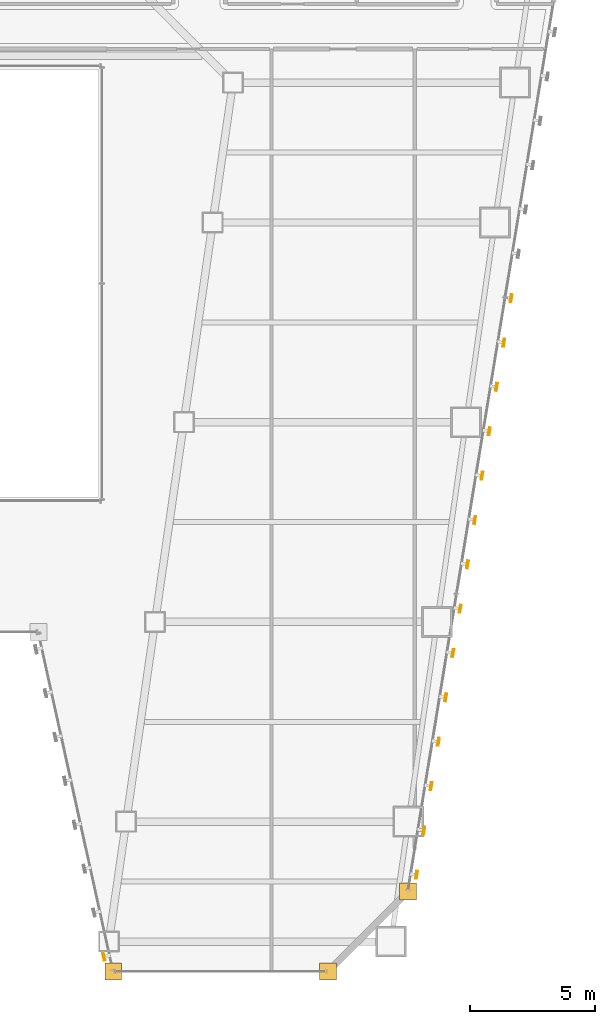
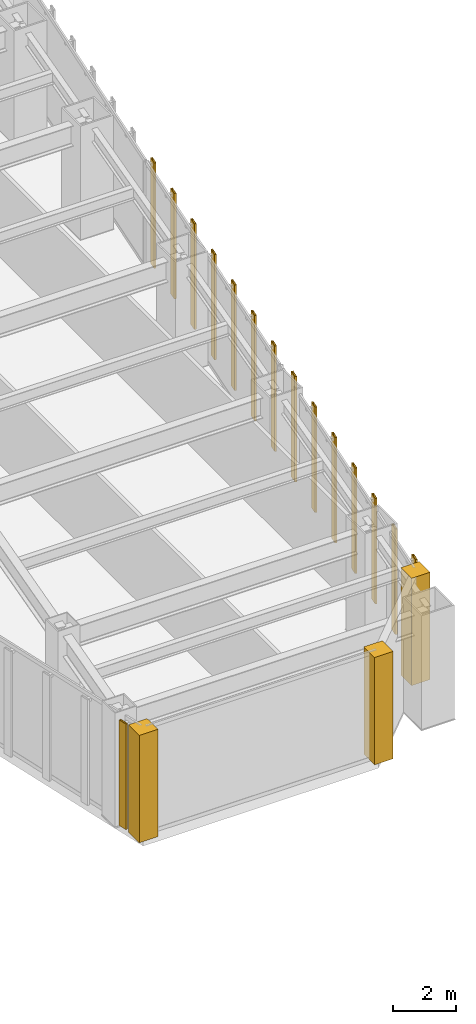
# One storey, part 44 of 49: 15 shading devices, 3 coverings.
"""IFC4 building model written with IfcOpenShell, lengths in metres."""

import ifcopenshell
import ifcopenshell.guid

model = None  # the IFC model being written
_history = None  # IfcOwnerHistory: only IFC2X3 demands one
_inside = {}  # id of a spatial element -> (the spatial element, [elements in it])
_under = {}  # id of a project, library or spatial element -> (it, [spatial elements below it])
_declared = {}  # id of a project -> (the project, [libraries it declares])
_typed = {}  # id of a type object -> (the type object, [elements of that type])
_made_of = {}  # id of a material, layer set ... -> (it, [elements and type objects made of it])


def new_model(schema):
    """Start an empty IFC model of exactly this schema.

    Asked for "IFC4X3", IfcOpenShell would pick the latest addendum, in which some entities
    have other attributes; the version numbers below select the first issue.
    IFC2X3 requires an IfcOwnerHistory on every rooted entity: one is made here for all.
    """
    global model, _history
    if schema == "IFC4X3":
        model = ifcopenshell.file(schema_version=(4, 3, 0, 0))
    else:
        model = ifcopenshell.file(schema=schema)
    _inside.clear()
    _under.clear()
    _declared.clear()
    _typed.clear()
    _made_of.clear()
    _history = None
    if model.schema == "IFC2X3":
        org = make("IfcOrganization", Name="unknown")
        user = make(
            "IfcPersonAndOrganization",
            ThePerson=make("IfcPerson", FamilyName="unknown"),
            TheOrganization=org,
        )
        app = make(
            "IfcApplication",
            ApplicationDeveloper=org,
            Version="unknown",
            ApplicationFullName="unknown",
            ApplicationIdentifier="unknown",
        )
        _history = make(
            "IfcOwnerHistory",
            OwningUser=user,
            OwningApplication=app,
            ChangeAction="ADDED",
            CreationDate=0,
        )
    return model


def make(cls, **values):
    """One entity of the class cls with the attributes given. An attribute that is None is left unset."""
    return model.create_entity(
        cls, **{name: value for name, value in values.items() if value is not None}
    )


def rooted(cls, **values):
    """An entity with a GlobalId (a new one), such as an element, a storey or a relation."""
    return make(cls, GlobalId=ifcopenshell.guid.new(), OwnerHistory=_history, **values)


def si_unit(unit_type, name, prefix=None):
    """IfcSIUnit, for example si_unit("LENGTHUNIT", "METRE", prefix="MILLI")."""
    return make("IfcSIUnit", UnitType=unit_type, Prefix=prefix, Name=name)


def assignment(units):
    """IfcUnitAssignment: the units of a project."""
    return None if units is None else make("IfcUnitAssignment", Units=units)


def point(xyz):
    """IfcCartesianPoint."""
    return None if xyz is None else make("IfcCartesianPoint", Coordinates=xyz)


def direction(xyz):
    """IfcDirection."""
    return None if xyz is None else make("IfcDirection", DirectionRatios=xyz)


def frame(location, z_axis=None, x_axis=None):
    """IfcAxis2Placement3D, a coordinate frame: its origin and axes. An axis left out is left unset."""
    return make(
        "IfcAxis2Placement3D",
        Location=point(location),
        Axis=direction(z_axis),
        RefDirection=direction(x_axis),
    )


def frame_2d(location, x_axis=None):
    """IfcAxis2Placement2D, a coordinate frame in the plane: its origin and x axis."""
    return make(
        "IfcAxis2Placement2D", Location=point(location), RefDirection=direction(x_axis)
    )


def origin():
    """The frame at (0, 0, 0) with its axes left unset."""
    return frame((0.0, 0.0, 0.0))


def origin_2d():
    """The frame at (0, 0) in the plane with its x axis left unset."""
    return frame_2d((0.0, 0.0))


def place(relative_to, where):
    """IfcLocalPlacement: puts the frame where relative to a parent placement (None: the world)."""
    return make(
        "IfcLocalPlacement", PlacementRelTo=relative_to, RelativePlacement=where
    )


def context(
    kind, dimensions, precision=None, world=None, true_north=None, identifier=None
):
    """IfcGeometricRepresentationContext, for example the 3D "Model" context."""
    return make(
        "IfcGeometricRepresentationContext",
        ContextIdentifier=identifier,
        ContextType=kind,
        CoordinateSpaceDimension=dimensions,
        Precision=precision,
        WorldCoordinateSystem=world,
        TrueNorth=true_north,
    )


def subcontext(parent, identifier, kind, view, scale=None):
    """IfcGeometricRepresentationSubContext, for example "Body" below "Model"."""
    return make(
        "IfcGeometricRepresentationSubContext",
        ContextIdentifier=identifier,
        ContextType=kind,
        ParentContext=parent,
        TargetScale=scale,
        TargetView=view,
    )


def project(units=None, contexts=None):
    """IfcProject with its units and contexts."""
    return rooted(
        "IfcProject",
        Name="project",
        RepresentationContexts=contexts,
        UnitsInContext=assignment(units),
    )


def spatial(cls, under=None, at=None, **own):
    """A site, building, storey or space (cls), placed at a placement, below another one or the project."""
    s = rooted(cls, ObjectPlacement=at, **own)
    if under is not None:
        _under.setdefault(under.id(), (under, []))[1].append(s)
    return s


def polyline(points):
    """IfcPolyline through the points."""
    return make("IfcPolyline", Points=[point(p) for p in points])


def profile(cls, at=None, kind="AREA", **sizes):
    """A parametric profile (cls). Its sizes go by their IFC names, for example OverallWidth=200.0."""
    return make(cls, ProfileType=kind, Position=at, **sizes)


def hollow_rectangle(**sizes):
    """IfcRectangleHollowProfileDef."""
    return profile("IfcRectangleHollowProfileDef", **sizes)


def outline(outer, holes=None, kind="AREA"):
    """IfcArbitraryClosedProfileDef: a profile drawn as a closed curve; with holes, ...WithVoids."""
    if holes is None:
        return make("IfcArbitraryClosedProfileDef", ProfileType=kind, OuterCurve=outer)
    return make(
        "IfcArbitraryProfileDefWithVoids",
        ProfileType=kind,
        OuterCurve=outer,
        InnerCurves=holes,
    )


def extrude(swept, where, along, depth):
    """IfcExtrudedAreaSolid: the profile swept, set in the frame where, extruded along a direction by depth."""
    return make(
        "IfcExtrudedAreaSolid",
        SweptArea=swept,
        Position=where,
        ExtrudedDirection=direction(along),
        Depth=depth,
    )


def shape(context_of_items, identifier, shape_type, items):
    """IfcShapeRepresentation: the items that make up one representation, for example the "Body"."""
    return make(
        "IfcShapeRepresentation",
        ContextOfItems=context_of_items,
        RepresentationIdentifier=identifier,
        RepresentationType=shape_type,
        Items=items,
    )


def material(Name=None, Category=None):
    """IfcMaterial."""
    return make("IfcMaterial", Name=Name, Category=Category)


def layer(
    of_material, thickness, ventilated=None, Name=None, Category=None, Priority=None
):
    """IfcMaterialLayer: one layer of a wall or slab, of a material (None: an air gap)."""
    return make(
        "IfcMaterialLayer",
        Material=of_material,
        LayerThickness=thickness,
        IsVentilated=ventilated,
        Name=Name,
        Category=Category,
        Priority=Priority,
    )


def layer_set(layers, Name=None):
    """IfcMaterialLayerSet."""
    return make("IfcMaterialLayerSet", MaterialLayers=layers, LayerSetName=Name)


def material_profile(
    of_material, cross_section, Name=None, Category=None, Priority=None
):
    """IfcMaterialProfile: a cross section and its material."""
    return make(
        "IfcMaterialProfile",
        Name=Name,
        Material=of_material,
        Profile=cross_section,
        Priority=Priority,
        Category=Category,
    )


def profile_set(profiles, Name=None, composite=None):
    """IfcMaterialProfileSet."""
    return make(
        "IfcMaterialProfileSet",
        Name=Name,
        MaterialProfiles=profiles,
        CompositeProfile=composite,
    )


def made_of(thing, what):
    """Note that an element or type object is made of a material, layer set ...; save() writes the relation."""
    if what is not None:
        _made_of.setdefault(what.id(), (what, []))[1].append(thing)
    return thing


def type_object(cls, material=None, **own):
    """A type object (cls), such as IfcWallType, which elements share."""
    return made_of(rooted(cls, **own), material)


def element(
    cls,
    number,
    at=None,
    inside=None,
    cuts=None,
    type_object=None,
    material=None,
    context=None,
    identifier="Body",
    shape_type=None,
    held_by="IfcProductDefinitionShape",
    body=None,
    shapes=None,
    **own,
):
    """One element of the class cls, such as IfcWall. Its Tag is "e" and its number.

    at: its placement. inside: the storey or other place that contains it. cuts: it is an
    opening in that element (IfcRelVoidsElement). A single representation is given by context,
    identifier, shape_type and body (its items); several are given by shapes. held_by: the class
    of the entity that holds the representations. save() writes the other relations.
    """
    e = rooted(cls, Tag="e%d" % number, ObjectPlacement=at, **own)
    if body is not None:
        shapes = [shape(context, identifier, shape_type, body)]
    if shapes is not None:
        e.Representation = make(held_by, Representations=shapes)
    if inside is not None:
        _inside.setdefault(inside.id(), (inside, []))[1].append(e)
    if cuts is not None:
        rooted(
            "IfcRelVoidsElement", RelatingBuildingElement=cuts, RelatedOpeningElement=e
        )
    if type_object is not None:
        _typed.setdefault(type_object.id(), (type_object, []))[1].append(e)
    return made_of(e, material)


def aggregate(whole, parts):
    """IfcRelAggregates: a whole, such as a stair, and the parts it consists of."""
    return rooted("IfcRelAggregates", RelatingObject=whole, RelatedObjects=parts)


def save(model, path):
    """Write the relations noted so far, then the file.

    IfcRelAggregates (storeys below a building ...), IfcRelContainedInSpatialStructure (elements
    in a storey), IfcRelDefinesByType, IfcRelAssociatesMaterial and IfcRelDeclares: one each for
    every whole, place, type object, material and project.
    """
    for whole, parts in _under.values():
        aggregate(whole, parts)
    for where, things in _inside.values():
        rooted(
            "IfcRelContainedInSpatialStructure",
            RelatedElements=things,
            RelatingStructure=where,
        )
    for kind, things in _typed.values():
        rooted("IfcRelDefinesByType", RelatedObjects=things, RelatingType=kind)
    for what, things in _made_of.values():
        rooted("IfcRelAssociatesMaterial", RelatedObjects=things, RelatingMaterial=what)
    for by, libraries in _declared.values():
        rooted("IfcRelDeclares", RelatingContext=by, RelatedDefinitions=libraries)
    model.write(path)


model = new_model("IFC4")

# Units and contexts
model_context = context("Model", 3, precision=1e-05, world=origin(), true_north=direction((0.0, 1.0)))
body_context = subcontext(model_context, "Body", "Model", "MODEL_VIEW")
ifc_project = project(units=[si_unit("LENGTHUNIT", "METRE"), si_unit("AREAUNIT", "SQUARE_METRE"), si_unit("VOLUMEUNIT", "CUBIC_METRE"), si_unit("PLANEANGLEUNIT", "RADIAN"), si_unit("MASSUNIT", "GRAM", prefix="KILO")], contexts=[model_context])

# Site, building, storey
site_placement = place(None, origin())
site = spatial("IfcSite", under=ifc_project, at=site_placement, CompositionType="ELEMENT")
building_placement = place(site_placement, origin())
building = spatial("IfcBuilding", under=site, at=building_placement, Name="Saevonmaru Cultural Tower", CompositionType="ELEMENT")
storey_placement = place(building_placement, frame((0.0, 0.0, 38.39990234375)))
storey = spatial("IfcBuildingStorey", under=building, at=storey_placement, Name="L07", CompositionType="ELEMENT", Elevation=38.39990234375)

# Coverings
ifc_material = material(Name="Satin Bronze Anodised Aluminium", Category="aluminium")
ifc_layer = layer(ifc_material, 0.679931640625, Name="Satin Bronze Anodised Aluminium")
ifc_layer_set = layer_set([ifc_layer], Name="Satin Bronze Anodised Aluminium")
covering_type = type_object("IfcCoveringType", Name="CV-CORNER-CLAD", PredefinedType="CLADDING", material=ifc_layer_set)
covering_1_placement = place(storey_placement, origin())
element("IfcCovering", 1, at=covering_1_placement, inside=storey, type_object=covering_type, Name="L07 Tower Bronze Corner Cladding Pier 6", PredefinedType="CLADDING", context=body_context, shape_type="SweptSolid", body=[
    extrude(outline(polyline([(36.06005859375, 1.659912109375), (36.739990234375, 1.659912109375), (36.739990234375, 2.340087890625), (36.06005859375, 2.340087890625), (36.06005859375, 1.659912109375)])), origin(), (0.0, 0.0, 1.0), 4.150146484375),
])
covering_2_placement = place(storey_placement, origin())
element("IfcCovering", 2, at=covering_2_placement, inside=storey, type_object=covering_type, Name="L07 Tower Bronze Corner Cladding Pier 7", PredefinedType="CLADDING", context=body_context, shape_type="SweptSolid", body=[
    extrude(outline(polyline([(44.659912109375, 1.659912109375), (45.340087890625, 1.659912109375), (45.340087890625, 2.340087890625), (44.659912109375, 2.340087890625), (44.659912109375, 1.659912109375)])), origin(), (0.0, 0.0, 1.0), 4.150146484375),
])
covering_3_placement = place(storey_placement, origin())
element("IfcCovering", 3, at=covering_3_placement, inside=storey, type_object=covering_type, Name="L07 Tower Bronze Corner Cladding Pier 8", PredefinedType="CLADDING", context=body_context, shape_type="SweptSolid", body=[
    extrude(outline(polyline([(47.860107421875, 4.860107421875), (48.5400390625, 4.860107421875), (48.5400390625, 5.5400390625), (47.860107421875, 5.5400390625), (47.860107421875, 4.860107421875)])), origin(), (0.0, 0.0, 1.0), 4.150146484375),
])

# Shading devices
ifc_material_profile = material_profile(ifc_material, hollow_rectangle(XDim=0.070068359375, YDim=0.320068359375, WallThickness=0.0048828125, at=origin_2d()), Name="FIN-320x70")
ifc_profile_set = profile_set([ifc_material_profile], Name="Satin Bronze Anodised Aluminium")
shading_device_type = type_object("IfcShadingDeviceType", Name="SHD-FIN-320", PredefinedType="JALOUSIE", material=ifc_profile_set)
for number, where, z_axis, x_axis, name in (
    (4, (36.022705078125, 2.59619140625, 0.050048828125), (0.0, 0.0, 1.0), (-0.976522126798, -0.215417120661, 0.0), "L07 Art Deco Sawtooth Bronze Fin E5-08"),
    (5, (48.552978515625, 5.869140625, 0.050048828125), (0.0, 0.0, 1.0), (0.986827496189, -0.161776057456, 0.0), "L07 Art Deco Sawtooth Bronze Fin E8-01"),
    (6, (48.843994140625, 7.6455078125, 0.050048828125), (0.0, 0.0, 1.0), (0.986827496189, -0.161776057456, 0.0), "L07 Art Deco Sawtooth Bronze Fin E8-02"),
    (7, (49.135009765625, 9.421875, 0.050048828125), (0.0, 0.0, 1.0), (0.986827496189, -0.161776057456, 0.0), "L07 Art Deco Sawtooth Bronze Fin E8-03"),
    (8, (49.426025390625, 11.197998046875, 0.050048828125), (0.0, 0.0, 1.0), (0.986827496189, -0.161776057456, 0.0), "L07 Art Deco Sawtooth Bronze Fin E8-04"),
    (9, (49.71728515625, 12.974365234375, 0.050048828125), (0.0, 0.0, 1.0), (0.986827496189, -0.161776057456, 0.0), "L07 Art Deco Sawtooth Bronze Fin E8-05"),
    (10, (50.00830078125, 14.750732421875, 0.050048828125), (0.0, 0.0, 1.0), (0.986827496189, -0.161776057456, 0.0), "L07 Art Deco Sawtooth Bronze Fin E8-06"),
    (11, (50.29931640625, 16.527099609375, 0.050048828125), (0.0, 0.0, 1.0), (0.986827496189, -0.161776057456, 0.0), "L07 Art Deco Sawtooth Bronze Fin E8-07"),
    (12, (50.59033203125, 18.30322265625, 0.050048828125), (0.0, 0.0, 1.0), (0.986827496189, -0.161776057456, 0.0), "L07 Art Deco Sawtooth Bronze Fin E8-08"),
    (13, (50.881591796875, 20.07958984375, 0.050048828125), (0.0, 0.0, 1.0), (0.986827496189, -0.161776057456, 0.0), "L07 Art Deco Sawtooth Bronze Fin E8-09"),
    (14, (51.172607421875, 21.85595703125, 0.050048828125), (0.0, 0.0, 1.0), (0.986827496189, -0.161776057456, 0.0), "L07 Art Deco Sawtooth Bronze Fin E8-10"),
    (15, (51.463623046875, 23.63232421875, 0.050048828125), (0.0, 0.0, 1.0), (0.986827496189, -0.161776057456, 0.0), "L07 Art Deco Sawtooth Bronze Fin E8-11"),
    (16, (51.754638671875, 25.40869140625, 0.050048828125), (0.0, 0.0, 1.0), (0.986827496189, -0.161776057456, 0.0), "L07 Art Deco Sawtooth Bronze Fin E8-12"),
    (17, (52.0458984375, 27.184814453125, 0.050048828125), (0.0, 0.0, 1.0), (0.986827496189, -0.161776057456, 0.0), "L07 Art Deco Sawtooth Bronze Fin E8-13"),
    (18, (52.3369140625, 28.961181640625, 0.050048828125), (0.0, 0.0, 1.0), (0.986827496189, -0.161776057456, 0.0), "L07 Art Deco Sawtooth Bronze Fin E8-14"),
):
    element("IfcShadingDevice", number, at=place(storey_placement, frame(where, z_axis=z_axis, x_axis=x_axis)), inside=storey, type_object=shading_device_type, Name=name, PredefinedType="JALOUSIE", context=body_context, shape_type="SweptSolid", body=[
        extrude(hollow_rectangle(XDim=0.070068359375, YDim=0.320068359375, WallThickness=0.0048828125, at=origin_2d()), origin(), (0.0, 0.0, 1.0), 4.080078125),
    ])

save(model, "model.ifc")
